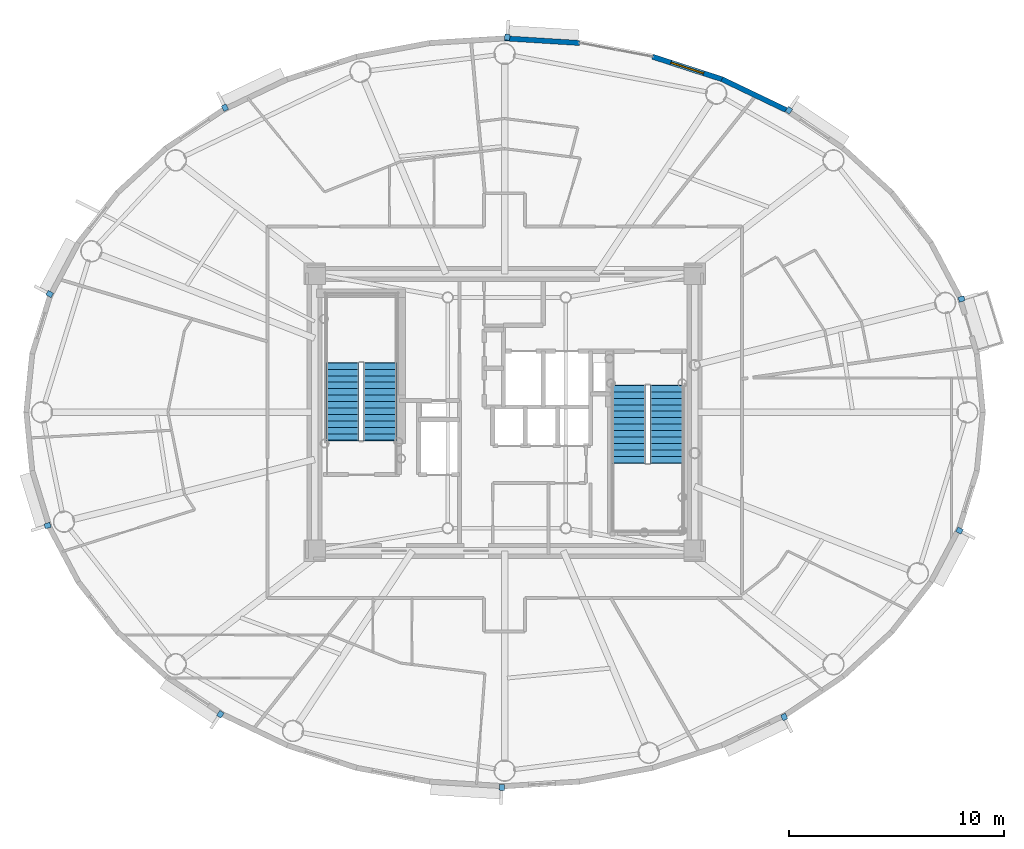
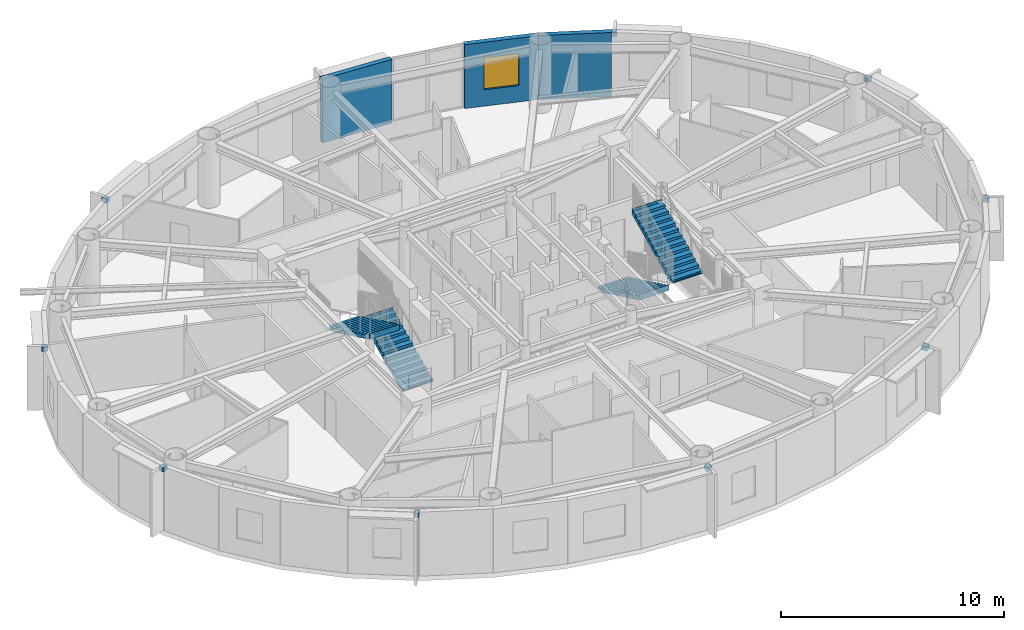
# One storey, part 10 of 17: 10 discrete accessories, 4 stair flights, 3 walls, 1 window, 1 opening, 2 elements without a shape of their own.
"""IFC4 building model written with IfcOpenShell, lengths in metres."""

import ifcopenshell
import ifcopenshell.guid

model = None  # the IFC model being written
_history = None  # IfcOwnerHistory: only IFC2X3 demands one
_inside = {}  # id of a spatial element -> (the spatial element, [elements in it])
_under = {}  # id of a project, library or spatial element -> (it, [spatial elements below it])
_declared = {}  # id of a project -> (the project, [libraries it declares])
_typed = {}  # id of a type object -> (the type object, [elements of that type])
_made_of = {}  # id of a material, layer set ... -> (it, [elements and type objects made of it])


def new_model(schema):
    """Start an empty IFC model of exactly this schema.

    Asked for "IFC4X3", IfcOpenShell would pick the latest addendum, in which some entities
    have other attributes; the version numbers below select the first issue.
    IFC2X3 requires an IfcOwnerHistory on every rooted entity: one is made here for all.
    """
    global model, _history
    if schema == "IFC4X3":
        model = ifcopenshell.file(schema_version=(4, 3, 0, 0))
    else:
        model = ifcopenshell.file(schema=schema)
    _inside.clear()
    _under.clear()
    _declared.clear()
    _typed.clear()
    _made_of.clear()
    _history = None
    if model.schema == "IFC2X3":
        org = make("IfcOrganization", Name="unknown")
        user = make(
            "IfcPersonAndOrganization",
            ThePerson=make("IfcPerson", FamilyName="unknown"),
            TheOrganization=org,
        )
        app = make(
            "IfcApplication",
            ApplicationDeveloper=org,
            Version="unknown",
            ApplicationFullName="unknown",
            ApplicationIdentifier="unknown",
        )
        _history = make(
            "IfcOwnerHistory",
            OwningUser=user,
            OwningApplication=app,
            ChangeAction="ADDED",
            CreationDate=0,
        )
    return model


def make(cls, **values):
    """One entity of the class cls with the attributes given. An attribute that is None is left unset."""
    return model.create_entity(
        cls, **{name: value for name, value in values.items() if value is not None}
    )


def rooted(cls, **values):
    """An entity with a GlobalId (a new one), such as an element, a storey or a relation."""
    return make(cls, GlobalId=ifcopenshell.guid.new(), OwnerHistory=_history, **values)


def si_unit(unit_type, name, prefix=None):
    """IfcSIUnit, for example si_unit("LENGTHUNIT", "METRE", prefix="MILLI")."""
    return make("IfcSIUnit", UnitType=unit_type, Prefix=prefix, Name=name)


def assignment(units):
    """IfcUnitAssignment: the units of a project."""
    return None if units is None else make("IfcUnitAssignment", Units=units)


def point(xyz):
    """IfcCartesianPoint."""
    return None if xyz is None else make("IfcCartesianPoint", Coordinates=xyz)


def direction(xyz):
    """IfcDirection."""
    return None if xyz is None else make("IfcDirection", DirectionRatios=xyz)


def frame(location, z_axis=None, x_axis=None):
    """IfcAxis2Placement3D, a coordinate frame: its origin and axes. An axis left out is left unset."""
    return make(
        "IfcAxis2Placement3D",
        Location=point(location),
        Axis=direction(z_axis),
        RefDirection=direction(x_axis),
    )


def frame_2d(location, x_axis=None):
    """IfcAxis2Placement2D, a coordinate frame in the plane: its origin and x axis."""
    return make(
        "IfcAxis2Placement2D", Location=point(location), RefDirection=direction(x_axis)
    )


def origin():
    """The frame at (0, 0, 0) with its axes left unset."""
    return frame((0.0, 0.0, 0.0))


def origin_2d():
    """The frame at (0, 0) in the plane with its x axis left unset."""
    return frame_2d((0.0, 0.0))


def place(relative_to, where):
    """IfcLocalPlacement: puts the frame where relative to a parent placement (None: the world)."""
    return make(
        "IfcLocalPlacement", PlacementRelTo=relative_to, RelativePlacement=where
    )


def context(
    kind, dimensions, precision=None, world=None, true_north=None, identifier=None
):
    """IfcGeometricRepresentationContext, for example the 3D "Model" context."""
    return make(
        "IfcGeometricRepresentationContext",
        ContextIdentifier=identifier,
        ContextType=kind,
        CoordinateSpaceDimension=dimensions,
        Precision=precision,
        WorldCoordinateSystem=world,
        TrueNorth=true_north,
    )


def subcontext(parent, identifier, kind, view, scale=None):
    """IfcGeometricRepresentationSubContext, for example "Body" below "Model"."""
    return make(
        "IfcGeometricRepresentationSubContext",
        ContextIdentifier=identifier,
        ContextType=kind,
        ParentContext=parent,
        TargetScale=scale,
        TargetView=view,
    )


def project(units=None, contexts=None):
    """IfcProject with its units and contexts."""
    return rooted(
        "IfcProject",
        Name="project",
        RepresentationContexts=contexts,
        UnitsInContext=assignment(units),
    )


def spatial(cls, under=None, at=None, **own):
    """A site, building, storey or space (cls), placed at a placement, below another one or the project."""
    s = rooted(cls, ObjectPlacement=at, **own)
    if under is not None:
        _under.setdefault(under.id(), (under, []))[1].append(s)
    return s


def polyline(points):
    """IfcPolyline through the points."""
    return make("IfcPolyline", Points=[point(p) for p in points])


def profile(cls, at=None, kind="AREA", **sizes):
    """A parametric profile (cls). Its sizes go by their IFC names, for example OverallWidth=200.0."""
    return make(cls, ProfileType=kind, Position=at, **sizes)


def rectangle(**sizes):
    """IfcRectangleProfileDef."""
    return profile("IfcRectangleProfileDef", **sizes)


def outline(outer, holes=None, kind="AREA"):
    """IfcArbitraryClosedProfileDef: a profile drawn as a closed curve; with holes, ...WithVoids."""
    if holes is None:
        return make("IfcArbitraryClosedProfileDef", ProfileType=kind, OuterCurve=outer)
    return make(
        "IfcArbitraryProfileDefWithVoids",
        ProfileType=kind,
        OuterCurve=outer,
        InnerCurves=holes,
    )


def extrude(swept, where, along, depth):
    """IfcExtrudedAreaSolid: the profile swept, set in the frame where, extruded along a direction by depth."""
    return make(
        "IfcExtrudedAreaSolid",
        SweptArea=swept,
        Position=where,
        ExtrudedDirection=direction(along),
        Depth=depth,
    )


def shape(context_of_items, identifier, shape_type, items):
    """IfcShapeRepresentation: the items that make up one representation, for example the "Body"."""
    return make(
        "IfcShapeRepresentation",
        ContextOfItems=context_of_items,
        RepresentationIdentifier=identifier,
        RepresentationType=shape_type,
        Items=items,
    )


def source(mapping_origin, context_of_items, identifier, shape_type, items):
    """IfcRepresentationMap: a shape defined once, which mapped items show again and again."""
    return make(
        "IfcRepresentationMap",
        MappingOrigin=mapping_origin,
        MappedRepresentation=shape(context_of_items, identifier, shape_type, items),
    )


def transform(
    local_origin,
    x_axis=None,
    y_axis=None,
    z_axis=None,
    scale=None,
    scale2=None,
    scale3=None,
    uniform=True,
):
    """IfcCartesianTransformationOperator3D, or its non-uniform kind. x_axis, y_axis, z_axis: its Axis1, 2, 3."""
    if uniform:
        return make(
            "IfcCartesianTransformationOperator3D",
            Axis1=direction(x_axis),
            Axis2=direction(y_axis),
            LocalOrigin=point(local_origin),
            Scale=scale,
            Axis3=direction(z_axis),
        )
    return make(
        "IfcCartesianTransformationOperator3DnonUniform",
        Axis1=direction(x_axis),
        Axis2=direction(y_axis),
        LocalOrigin=point(local_origin),
        Scale=scale,
        Axis3=direction(z_axis),
        Scale2=scale2,
        Scale3=scale3,
    )


def mapped(mapping_source, mapping_target):
    """IfcMappedItem: shows the shape of a source again, moved by a transform."""
    return make(
        "IfcMappedItem", MappingSource=mapping_source, MappingTarget=mapping_target
    )


def material(Name=None, Category=None):
    """IfcMaterial."""
    return make("IfcMaterial", Name=Name, Category=Category)


def layer(
    of_material, thickness, ventilated=None, Name=None, Category=None, Priority=None
):
    """IfcMaterialLayer: one layer of a wall or slab, of a material (None: an air gap)."""
    return make(
        "IfcMaterialLayer",
        Material=of_material,
        LayerThickness=thickness,
        IsVentilated=ventilated,
        Name=Name,
        Category=Category,
        Priority=Priority,
    )


def layer_set(layers, Name=None):
    """IfcMaterialLayerSet."""
    return make("IfcMaterialLayerSet", MaterialLayers=layers, LayerSetName=Name)


def made_of(thing, what):
    """Note that an element or type object is made of a material, layer set ...; save() writes the relation."""
    if what is not None:
        _made_of.setdefault(what.id(), (what, []))[1].append(thing)
    return thing


def type_object(cls, material=None, **own):
    """A type object (cls), such as IfcWallType, which elements share."""
    return made_of(rooted(cls, **own), material)


def element(
    cls,
    number,
    at=None,
    inside=None,
    cuts=None,
    type_object=None,
    material=None,
    context=None,
    identifier="Body",
    shape_type=None,
    held_by="IfcProductDefinitionShape",
    body=None,
    shapes=None,
    **own,
):
    """One element of the class cls, such as IfcWall. Its Tag is "e" and its number.

    at: its placement. inside: the storey or other place that contains it. cuts: it is an
    opening in that element (IfcRelVoidsElement). A single representation is given by context,
    identifier, shape_type and body (its items); several are given by shapes. held_by: the class
    of the entity that holds the representations. save() writes the other relations.
    """
    e = rooted(cls, Tag="e%d" % number, ObjectPlacement=at, **own)
    if body is not None:
        shapes = [shape(context, identifier, shape_type, body)]
    if shapes is not None:
        e.Representation = make(held_by, Representations=shapes)
    if inside is not None:
        _inside.setdefault(inside.id(), (inside, []))[1].append(e)
    if cuts is not None:
        rooted(
            "IfcRelVoidsElement", RelatingBuildingElement=cuts, RelatedOpeningElement=e
        )
    if type_object is not None:
        _typed.setdefault(type_object.id(), (type_object, []))[1].append(e)
    return made_of(e, material)


def fill(opening, filler):
    """IfcRelFillsElement: the door or window that sits in an opening."""
    return rooted(
        "IfcRelFillsElement",
        RelatingOpeningElement=opening,
        RelatedBuildingElement=filler,
    )


def aggregate(whole, parts):
    """IfcRelAggregates: a whole, such as a stair, and the parts it consists of."""
    return rooted("IfcRelAggregates", RelatingObject=whole, RelatedObjects=parts)


def save(model, path):
    """Write the relations noted so far, then the file.

    IfcRelAggregates (storeys below a building ...), IfcRelContainedInSpatialStructure (elements
    in a storey), IfcRelDefinesByType, IfcRelAssociatesMaterial and IfcRelDeclares: one each for
    every whole, place, type object, material and project.
    """
    for whole, parts in _under.values():
        aggregate(whole, parts)
    for where, things in _inside.values():
        rooted(
            "IfcRelContainedInSpatialStructure",
            RelatedElements=things,
            RelatingStructure=where,
        )
    for kind, things in _typed.values():
        rooted("IfcRelDefinesByType", RelatedObjects=things, RelatingType=kind)
    for what, things in _made_of.values():
        rooted("IfcRelAssociatesMaterial", RelatedObjects=things, RelatingMaterial=what)
    for by, libraries in _declared.values():
        rooted("IfcRelDeclares", RelatingContext=by, RelatedDefinitions=libraries)
    model.write(path)


model = new_model("IFC4")

# Units and contexts
model_context = context("Model", 3, precision=1e-05, world=origin(), true_north=direction((0.0, 1.0)))
body_context = subcontext(model_context, "Body", "Model", "MODEL_VIEW")
ifc_project = project(units=[si_unit("LENGTHUNIT", "METRE"), si_unit("AREAUNIT", "SQUARE_METRE"), si_unit("VOLUMEUNIT", "CUBIC_METRE"), si_unit("PLANEANGLEUNIT", "RADIAN"), si_unit("MASSUNIT", "GRAM", prefix="KILO")], contexts=[model_context])

# Site, building, storey
site_placement = place(None, origin())
site = spatial("IfcSite", under=ifc_project, at=site_placement, CompositionType="ELEMENT")
building_placement = place(site_placement, origin())
building = spatial("IfcBuilding", under=site, at=building_placement, Name="Linh Dai School and Residence Tower", CompositionType="ELEMENT")
storey_placement = place(building_placement, frame((0.0, 0.0, 280.5)))
storey = spatial("IfcBuildingStorey", under=building, at=storey_placement, Name="L69", CompositionType="ELEMENT", Elevation=280.5)

# Wall
ifc_material_1 = material(Name="Precast Concrete B45 (C35/45)", Category="concrete")
ifc_layer = layer(ifc_material_1, 0.239990234375)
ifc_layer_set = layer_set([ifc_layer], Name="Precast Concrete B45 (C35/45)")
wall_type = type_object("IfcWallType", Name="EW-TC-240", PredefinedType="SOLIDWALL", material=ifc_layer_set)
wall_1_placement = place(storey_placement, frame((46.123046875, 42.51220703125, 0.0), z_axis=(0.0, 0.0, 1.0), x_axis=(0.901573741254, -0.43262546051, 0.0)))
element("IfcWall", 1, at=wall_1_placement, inside=storey, type_object=wall_type, Name="L69 Terracotta Exterior Wall 07", PredefinedType="SOLIDWALL", context=body_context, shape_type="SweptSolid", body=[
    extrude(rectangle(XDim=3.306884765625, YDim=0.239990234375, at=frame_2d((1.6533203125, 0.0))), origin(), (0.0, 0.0, 1.0), 3.5),
])

# Wall, opening, window
wall_2_placement = place(storey_placement, frame((42.89111328125, 43.560302734375, 0.0), z_axis=(0.0, 0.0, 1.0), x_axis=(0.95123136723, -0.308478339592, 0.0)))
wall_2 = element("IfcWall", 2, at=wall_2_placement, inside=storey, type_object=wall_type, Name="L69 Terracotta Exterior Wall 08", PredefinedType="SOLIDWALL", context=body_context, shape_type="SweptSolid", body=[
    extrude(rectangle(XDim=3.397705078125, YDim=0.239990234375, at=frame_2d((1.69873046875, 0.0))), origin(), (0.0, 0.0, 1.0), 3.5),
])
opening_placement = place(wall_2_placement, frame((0.898681640625, 0.0, 0.89990234375)))
opening = element("IfcOpeningElement", 3, at=opening_placement, cuts=wall_2, Name="Opening W2", PredefinedType="OPENING", context=body_context, shape_type="SweptSolid", body=[
    extrude(rectangle(XDim=1.60009765625, YDim=1.75, at=origin_2d()), frame((0.800048828125, 0.1298828125, 0.875), z_axis=(0.0, -1.0, 0.0), x_axis=(1.0, 0.0, 0.0)), (0.0, 0.0, 1.0), 0.260009765625),
])
ifc_material_2 = material(Name="Double Low-E Insulated Glazing", Category="glass")
window_type = type_object("IfcWindowType", Name="WN-RES-1600x1750", PartitioningType="DOUBLE_PANEL_VERTICAL", PredefinedType="WINDOW", material=ifc_material_2)
shared_shape_1 = source(origin(), body_context, "Body", "SweptSolid", [
    extrude(rectangle(XDim=1.60009765625, YDim=1.75, at=origin_2d()), frame((0.800048828125, 0.030029296875, 0.875), z_axis=(0.0, -1.0, 0.0), x_axis=(1.0, 0.0, 0.0)), (0.0, 0.0, 1.0), 0.06005859375),
])
window_placement = place(opening_placement, origin())
window = element("IfcWindow", 4, at=window_placement, inside=storey, type_object=window_type, Name="L69 Exterior Window 08.1", OverallHeight=1.75, OverallWidth=1.60009765625, PartitioningType="DOUBLE_PANEL_VERTICAL", PredefinedType="WINDOW", context=body_context, shape_type="MappedRepresentation", body=[
    mapped(shared_shape_1, transform((0.0, 0.0, 0.0), x_axis=(1.0, 0.0, 0.0), y_axis=(0.0, 1.0, 0.0), z_axis=(0.0, 0.0, 1.0), scale=1.0)),
])
fill(opening, window)

# Wall
wall_3_placement = place(storey_placement, frame((36.0, 44.4150390625, 0.0), z_axis=(0.0, 0.0, 1.0), x_axis=(0.998104946479, -0.061534671648, 0.0)))
element("IfcWall", 5, at=wall_3_placement, inside=storey, type_object=wall_type, Name="L69 Terracotta Exterior Wall 10", PredefinedType="SOLIDWALL", context=body_context, shape_type="SweptSolid", body=[
    extrude(rectangle(XDim=3.495361328125, YDim=0.239990234375, at=frame_2d((1.74755859375, 0.0))), origin(), (0.0, 0.0, 1.0), 3.5),
])

# Stair, stair flights
ifc_material_3 = material(Name="Concrete B45 (C35/45)", Category="concrete")
stair_type = type_object("IfcStairType", Name="ST-DOG-1550-R1442", PredefinedType="HALF_TURN_STAIR", material=ifc_material_3)
stair_1_placement = place(storey_placement, origin())
stair_1 = element("IfcStair", 6, at=stair_1_placement, inside=storey, type_object=stair_type, Name="L69 Core Smokeproof Exit Stair ST1", PredefinedType="HALF_TURN_STAIR")
stair_flight_type = type_object("IfcStairFlightType", Name="STF-STR-1550-R1442", PredefinedType="STRAIGHT", material=ifc_material_3)
shared_shape_2 = source(origin(), body_context, "Body", "SweptSolid", [
    extrude(outline(polyline([(-0.02490234375, 0.0), (-0.02490234375, 0.06005859375), (0.0, 0.06005859375), (0.0, 0.144287109375), (0.300048828125, 0.144287109375), (0.300048828125, 0.28857421875), (0.60009765625, 0.28857421875), (0.60009765625, 0.4326171875), (0.89990234375, 0.4326171875), (0.89990234375, 0.576904296875), (1.199951171875, 0.576904296875), (1.199951171875, 0.72119140625), (1.5, 0.72119140625), (1.5, 0.865478515625), (1.800048828125, 0.865478515625), (1.800048828125, 1.009521484375), (2.10009765625, 1.009521484375), (2.10009765625, 1.15380859375), (2.39990234375, 1.15380859375), (2.39990234375, 1.298095703125), (2.699951171875, 1.298095703125), (2.699951171875, 1.4423828125), (3.0, 1.4423828125), (3.0, 1.58642578125), (3.300048828125, 1.58642578125), (3.300048828125, 1.730712890625), (3.60009765625, 1.730712890625), (3.60009765625, 1.875), (3.625, 1.875), (3.625, 1.564453125), (3.60009765625, 1.564453125), (0.345947265625, 0.0), (-0.02490234375, 0.0)])), frame((0.0, 0.77490234375, 0.0), z_axis=(0.0, -1.0, 0.0), x_axis=(1.0, 0.0, 0.0)), (0.0, 0.0, 1.0), 1.550048828125),
])
stair_flight_1_placement = place(storey_placement, frame((30.205078125, 25.699951171875, 0.0), z_axis=(0.0, 0.0, 1.0), x_axis=(0.0, 1.0, 0.0)))
stair_flight_1 = element("IfcStairFlight", 7, at=stair_flight_1_placement, type_object=stair_flight_type, Name="ST1 flight 1", NumberOfRisers=13, NumberOfTreads=12, PredefinedType="STRAIGHT", RiserHeight=0.144230769, TreadLength=0.3, context=body_context, shape_type="MappedRepresentation", body=[
    mapped(shared_shape_2, transform((0.0, 0.0, 0.0), x_axis=(1.0, 0.0, 0.0), y_axis=(0.0, 1.0, 0.0), z_axis=(0.0, 0.0, 1.0), scale=1.0)),
])
stair_flight_2_placement = place(storey_placement, frame((28.455078125, 29.300048828125, 1.875), z_axis=(0.0, 0.0, 1.0), x_axis=(0.0, -1.0, 0.0)))
stair_flight_2 = element("IfcStairFlight", 8, at=stair_flight_2_placement, type_object=stair_flight_type, Name="ST1 flight 2", NumberOfRisers=13, NumberOfTreads=12, PredefinedType="STRAIGHT", RiserHeight=0.144230769, TreadLength=0.3, context=body_context, shape_type="MappedRepresentation", body=[
    mapped(shared_shape_2, transform((0.0, 0.0, 0.0), x_axis=(1.0, 0.0, 0.0), y_axis=(0.0, 1.0, 0.0), z_axis=(0.0, 0.0, 1.0), scale=1.0)),
])
aggregate(stair_1, [stair_flight_1, stair_flight_2])

stair_2_placement = place(storey_placement, origin())
stair_2 = element("IfcStair", 9, at=stair_2_placement, inside=storey, type_object=stair_type, Name="L69 Core Smokeproof Exit Stair ST2", PredefinedType="HALF_TURN_STAIR")
stair_flight_3_placement = place(storey_placement, frame((41.794921875, 28.25, 0.0), z_axis=(0.0, 0.0, 1.0), x_axis=(0.0, -1.0, 0.0)))
stair_flight_3 = element("IfcStairFlight", 10, at=stair_flight_3_placement, type_object=stair_flight_type, Name="ST2 flight 1", NumberOfRisers=13, NumberOfTreads=12, PredefinedType="STRAIGHT", RiserHeight=0.144230769, TreadLength=0.3, context=body_context, shape_type="MappedRepresentation", body=[
    mapped(shared_shape_2, transform((0.0, 0.0, 0.0), x_axis=(1.0, 0.0, 0.0), y_axis=(0.0, 1.0, 0.0), z_axis=(0.0, 0.0, 1.0), scale=1.0)),
])
stair_flight_4_placement = place(storey_placement, frame((43.544921875, 24.64990234375, 1.875), z_axis=(0.0, 0.0, 1.0), x_axis=(0.0, 1.0, 0.0)))
stair_flight_4 = element("IfcStairFlight", 11, at=stair_flight_4_placement, type_object=stair_flight_type, Name="ST2 flight 2", NumberOfRisers=13, NumberOfTreads=12, PredefinedType="STRAIGHT", RiserHeight=0.144230769, TreadLength=0.3, context=body_context, shape_type="MappedRepresentation", body=[
    mapped(shared_shape_2, transform((0.0, 0.0, 0.0), x_axis=(1.0, 0.0, 0.0), y_axis=(0.0, 1.0, 0.0), z_axis=(0.0, 0.0, 1.0), scale=1.0)),
])
aggregate(stair_2, [stair_flight_3, stair_flight_4])

# Discrete accessories
ifc_material_4 = material(Name="Structural Steel S355JR", Category="steel")
discrete_accessory_type = type_object("IfcDiscreteAccessoryType", Name="ACC-BRK-S355", PredefinedType="BRACKET", material=ifc_material_4)
shared_shape_3 = source(origin(), body_context, "Body", "SweptSolid", [
    extrude(rectangle(XDim=0.280029296875, YDim=0.239990234375, at=origin_2d()), origin(), (0.0, 0.0, 1.0), 0.219970703125),
])
for number, where, z_axis, x_axis, name in (
    (12, (57.28076171875, 32.275146484375, 3.25), (0.0, 0.0, 1.0), (0.956069236934, 0.293140945944, 0.0), "L69 Facade Frame Anchor Bracket 02"),
    (13, (49.23779296875, 41.064697265625, 3.25), (0.0, 0.0, 1.0), (0.555907926874, 0.831243873264, 0.0), "L69 Facade Frame Anchor Bracket 06"),
    (14, (36.12353515625, 44.467529296875, 3.25), (0.0, 0.0, 1.0), (0.061509965157, 0.998106469364, 0.0), "L69 Facade Frame Anchor Bracket 10"),
    (15, (22.9775390625, 41.1875, 3.25), (0.0, 0.0, 1.0), (-0.432611916456, 0.901580240323, 0.0), "L69 Facade Frame Anchor Bracket 14"),
    (16, (14.81494140625, 32.50634765625, 3.25), (0.0, 0.0, 1.0), (-0.883938310975, 0.467603531201, 0.0), "L69 Facade Frame Anchor Bracket 18"),
    (17, (14.71923828125, 21.724853515625, 3.25), (0.0, 0.0, 1.0), (-0.956069236934, -0.293140945944, 0.0), "L69 Facade Frame Anchor Bracket 22"),
    (18, (22.76220703125, 12.935302734375, 3.25), (0.0, 0.0, 1.0), (-0.555905765624, -0.831245318631, 0.0), "L69 Facade Frame Anchor Bracket 26"),
    (19, (35.87646484375, 9.532470703125, 3.25), (0.0, 0.0, 1.0), (-0.061509965157, -0.998106469364, 0.0), "L69 Facade Frame Anchor Bracket 30"),
    (20, (49.0224609375, 12.8125, 3.25), (0.0, 0.0, 1.0), (0.432611916456, -0.901580240323, 0.0), "L69 Facade Frame Anchor Bracket 34"),
    (21, (57.18505859375, 21.49365234375, 3.25), (0.0, 0.0, 1.0), (0.883938310975, -0.467603531201, 0.0), "L69 Facade Frame Anchor Bracket 38"),
):
    element("IfcDiscreteAccessory", number, at=place(storey_placement, frame(where, z_axis=z_axis, x_axis=x_axis)), inside=storey, type_object=discrete_accessory_type, Name=name, PredefinedType="BRACKET", context=body_context, shape_type="MappedRepresentation", body=[
        mapped(shared_shape_3, transform((0.0, 0.0, 0.0), x_axis=(1.0, 0.0, 0.0), y_axis=(0.0, 1.0, 0.0), z_axis=(0.0, 0.0, 1.0), scale=1.0)),
    ])

save(model, "model.ifc")
